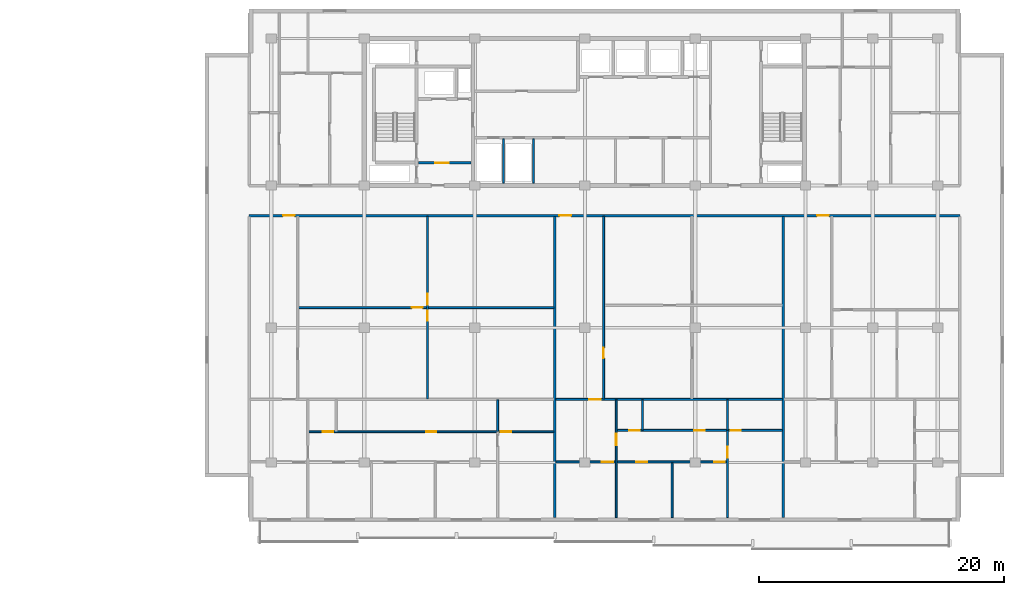
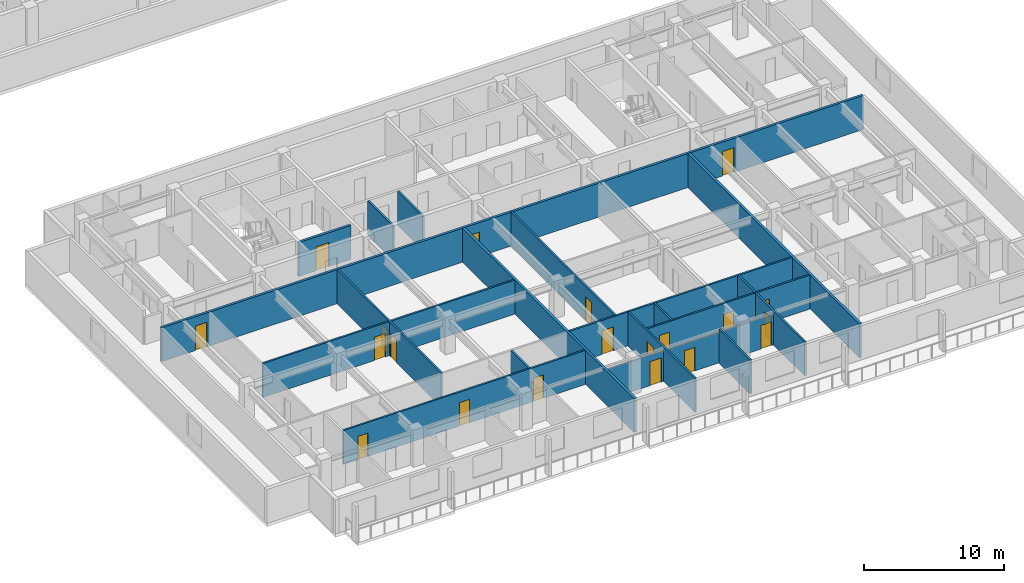
# One storey, part 5 of 22: 20 doors, 19 walls, 20 openings.
"""IFC4 building model written with IfcOpenShell, lengths in metres."""

import ifcopenshell
import ifcopenshell.guid

model = None  # the IFC model being written
_history = None  # IfcOwnerHistory: only IFC2X3 demands one
_inside = {}  # id of a spatial element -> (the spatial element, [elements in it])
_under = {}  # id of a project, library or spatial element -> (it, [spatial elements below it])
_declared = {}  # id of a project -> (the project, [libraries it declares])
_typed = {}  # id of a type object -> (the type object, [elements of that type])
_made_of = {}  # id of a material, layer set ... -> (it, [elements and type objects made of it])


def new_model(schema):
    """Start an empty IFC model of exactly this schema.

    Asked for "IFC4X3", IfcOpenShell would pick the latest addendum, in which some entities
    have other attributes; the version numbers below select the first issue.
    IFC2X3 requires an IfcOwnerHistory on every rooted entity: one is made here for all.
    """
    global model, _history
    if schema == "IFC4X3":
        model = ifcopenshell.file(schema_version=(4, 3, 0, 0))
    else:
        model = ifcopenshell.file(schema=schema)
    _inside.clear()
    _under.clear()
    _declared.clear()
    _typed.clear()
    _made_of.clear()
    _history = None
    if model.schema == "IFC2X3":
        org = make("IfcOrganization", Name="unknown")
        user = make(
            "IfcPersonAndOrganization",
            ThePerson=make("IfcPerson", FamilyName="unknown"),
            TheOrganization=org,
        )
        app = make(
            "IfcApplication",
            ApplicationDeveloper=org,
            Version="unknown",
            ApplicationFullName="unknown",
            ApplicationIdentifier="unknown",
        )
        _history = make(
            "IfcOwnerHistory",
            OwningUser=user,
            OwningApplication=app,
            ChangeAction="ADDED",
            CreationDate=0,
        )
    return model


def make(cls, **values):
    """One entity of the class cls with the attributes given. An attribute that is None is left unset."""
    return model.create_entity(
        cls, **{name: value for name, value in values.items() if value is not None}
    )


def rooted(cls, **values):
    """An entity with a GlobalId (a new one), such as an element, a storey or a relation."""
    return make(cls, GlobalId=ifcopenshell.guid.new(), OwnerHistory=_history, **values)


def si_unit(unit_type, name, prefix=None):
    """IfcSIUnit, for example si_unit("LENGTHUNIT", "METRE", prefix="MILLI")."""
    return make("IfcSIUnit", UnitType=unit_type, Prefix=prefix, Name=name)


def assignment(units):
    """IfcUnitAssignment: the units of a project."""
    return None if units is None else make("IfcUnitAssignment", Units=units)


def point(xyz):
    """IfcCartesianPoint."""
    return None if xyz is None else make("IfcCartesianPoint", Coordinates=xyz)


def direction(xyz):
    """IfcDirection."""
    return None if xyz is None else make("IfcDirection", DirectionRatios=xyz)


def frame(location, z_axis=None, x_axis=None):
    """IfcAxis2Placement3D, a coordinate frame: its origin and axes. An axis left out is left unset."""
    return make(
        "IfcAxis2Placement3D",
        Location=point(location),
        Axis=direction(z_axis),
        RefDirection=direction(x_axis),
    )


def frame_2d(location, x_axis=None):
    """IfcAxis2Placement2D, a coordinate frame in the plane: its origin and x axis."""
    return make(
        "IfcAxis2Placement2D", Location=point(location), RefDirection=direction(x_axis)
    )


def origin():
    """The frame at (0, 0, 0) with its axes left unset."""
    return frame((0.0, 0.0, 0.0))


def place(relative_to, where):
    """IfcLocalPlacement: puts the frame where relative to a parent placement (None: the world)."""
    return make(
        "IfcLocalPlacement", PlacementRelTo=relative_to, RelativePlacement=where
    )


def context(
    kind, dimensions, precision=None, world=None, true_north=None, identifier=None
):
    """IfcGeometricRepresentationContext, for example the 3D "Model" context."""
    return make(
        "IfcGeometricRepresentationContext",
        ContextIdentifier=identifier,
        ContextType=kind,
        CoordinateSpaceDimension=dimensions,
        Precision=precision,
        WorldCoordinateSystem=world,
        TrueNorth=true_north,
    )


def subcontext(parent, identifier, kind, view, scale=None):
    """IfcGeometricRepresentationSubContext, for example "Body" below "Model"."""
    return make(
        "IfcGeometricRepresentationSubContext",
        ContextIdentifier=identifier,
        ContextType=kind,
        ParentContext=parent,
        TargetScale=scale,
        TargetView=view,
    )


def project(units=None, contexts=None):
    """IfcProject with its units and contexts."""
    return rooted(
        "IfcProject",
        Name="project",
        RepresentationContexts=contexts,
        UnitsInContext=assignment(units),
    )


def spatial(cls, under=None, at=None, **own):
    """A site, building, storey or space (cls), placed at a placement, below another one or the project."""
    s = rooted(cls, ObjectPlacement=at, **own)
    if under is not None:
        _under.setdefault(under.id(), (under, []))[1].append(s)
    return s


def profile(cls, at=None, kind="AREA", **sizes):
    """A parametric profile (cls). Its sizes go by their IFC names, for example OverallWidth=200.0."""
    return make(cls, ProfileType=kind, Position=at, **sizes)


def rectangle(**sizes):
    """IfcRectangleProfileDef."""
    return profile("IfcRectangleProfileDef", **sizes)


def extrude(swept, where, along, depth):
    """IfcExtrudedAreaSolid: the profile swept, set in the frame where, extruded along a direction by depth."""
    return make(
        "IfcExtrudedAreaSolid",
        SweptArea=swept,
        Position=where,
        ExtrudedDirection=direction(along),
        Depth=depth,
    )


def shape(context_of_items, identifier, shape_type, items):
    """IfcShapeRepresentation: the items that make up one representation, for example the "Body"."""
    return make(
        "IfcShapeRepresentation",
        ContextOfItems=context_of_items,
        RepresentationIdentifier=identifier,
        RepresentationType=shape_type,
        Items=items,
    )


def material(Name=None, Category=None):
    """IfcMaterial."""
    return make("IfcMaterial", Name=Name, Category=Category)


def layer(
    of_material, thickness, ventilated=None, Name=None, Category=None, Priority=None
):
    """IfcMaterialLayer: one layer of a wall or slab, of a material (None: an air gap)."""
    return make(
        "IfcMaterialLayer",
        Material=of_material,
        LayerThickness=thickness,
        IsVentilated=ventilated,
        Name=Name,
        Category=Category,
        Priority=Priority,
    )


def layer_set(layers, Name=None):
    """IfcMaterialLayerSet."""
    return make("IfcMaterialLayerSet", MaterialLayers=layers, LayerSetName=Name)


def made_of(thing, what):
    """Note that an element or type object is made of a material, layer set ...; save() writes the relation."""
    if what is not None:
        _made_of.setdefault(what.id(), (what, []))[1].append(thing)
    return thing


def type_object(cls, material=None, **own):
    """A type object (cls), such as IfcWallType, which elements share."""
    return made_of(rooted(cls, **own), material)


def element(
    cls,
    number,
    at=None,
    inside=None,
    cuts=None,
    type_object=None,
    material=None,
    context=None,
    identifier="Body",
    shape_type=None,
    held_by="IfcProductDefinitionShape",
    body=None,
    shapes=None,
    **own,
):
    """One element of the class cls, such as IfcWall. Its Tag is "e" and its number.

    at: its placement. inside: the storey or other place that contains it. cuts: it is an
    opening in that element (IfcRelVoidsElement). A single representation is given by context,
    identifier, shape_type and body (its items); several are given by shapes. held_by: the class
    of the entity that holds the representations. save() writes the other relations.
    """
    e = rooted(cls, Tag="e%d" % number, ObjectPlacement=at, **own)
    if body is not None:
        shapes = [shape(context, identifier, shape_type, body)]
    if shapes is not None:
        e.Representation = make(held_by, Representations=shapes)
    if inside is not None:
        _inside.setdefault(inside.id(), (inside, []))[1].append(e)
    if cuts is not None:
        rooted(
            "IfcRelVoidsElement", RelatingBuildingElement=cuts, RelatedOpeningElement=e
        )
    if type_object is not None:
        _typed.setdefault(type_object.id(), (type_object, []))[1].append(e)
    return made_of(e, material)


def fill(opening, filler):
    """IfcRelFillsElement: the door or window that sits in an opening."""
    return rooted(
        "IfcRelFillsElement",
        RelatingOpeningElement=opening,
        RelatedBuildingElement=filler,
    )


def aggregate(whole, parts):
    """IfcRelAggregates: a whole, such as a stair, and the parts it consists of."""
    return rooted("IfcRelAggregates", RelatingObject=whole, RelatedObjects=parts)


def save(model, path):
    """Write the relations noted so far, then the file.

    IfcRelAggregates (storeys below a building ...), IfcRelContainedInSpatialStructure (elements
    in a storey), IfcRelDefinesByType, IfcRelAssociatesMaterial and IfcRelDeclares: one each for
    every whole, place, type object, material and project.
    """
    for whole, parts in _under.values():
        aggregate(whole, parts)
    for where, things in _inside.values():
        rooted(
            "IfcRelContainedInSpatialStructure",
            RelatedElements=things,
            RelatingStructure=where,
        )
    for kind, things in _typed.values():
        rooted("IfcRelDefinesByType", RelatedObjects=things, RelatingType=kind)
    for what, things in _made_of.values():
        rooted("IfcRelAssociatesMaterial", RelatedObjects=things, RelatingMaterial=what)
    for by, libraries in _declared.values():
        rooted("IfcRelDeclares", RelatingContext=by, RelatedDefinitions=libraries)
    model.write(path)


model = new_model("IFC4")

# Units and contexts
model_context = context("Model", 3, precision=1e-05, world=origin(), true_north=direction((0.0, 1.0)))
body_context = subcontext(model_context, "Body", "Model", "MODEL_VIEW")
ifc_project = project(units=[si_unit("LENGTHUNIT", "METRE"), si_unit("AREAUNIT", "SQUARE_METRE"), si_unit("VOLUMEUNIT", "CUBIC_METRE"), si_unit("PLANEANGLEUNIT", "RADIAN"), si_unit("MASSUNIT", "GRAM", prefix="KILO")], contexts=[model_context])

# Site, building, storey
site_placement = place(None, origin())
site = spatial("IfcSite", under=ifc_project, at=site_placement, CompositionType="ELEMENT")
building_placement = place(site_placement, origin())
building = spatial("IfcBuilding", under=site, at=building_placement, Name="Korimba Cascade Residences", CompositionType="ELEMENT")
storey_placement = place(building_placement, frame((0.0, 0.0, 132.800048828125)))
storey = spatial("IfcBuildingStorey", under=building, at=storey_placement, Name="L38", CompositionType="ELEMENT", Elevation=132.800048828125)

# Walls
ifc_material_1 = material(Name="Precast concrete C40/50", Category="concrete")
ifc_layer_1 = layer(ifc_material_1, 0.199951171875)
ifc_layer_set_1 = layer_set([ifc_layer_1], Name="Precast concrete C40/50")
wall_type_1 = type_object("IfcWallType", Name="WAL-IT-200", PredefinedType="PARTITIONING", material=ifc_layer_set_1)
for number, where, z_axis, x_axis, name in (
    (1, (97.654541015625, -8.699951171875, 0.0), (0.0, 0.0, 1.0), (0.0, 1.0, 0.0), "L38 Partition Wall WAL-L38-T2-DEM-1"),
    (2, (116.286376953125, -8.699951171875, 0.0), (0.0, 0.0, 1.0), (0.0, 1.0, 0.0), "L38 Partition Wall WAL-L38-T2-DEM-2"),
):
    element("IfcWall", number, at=place(storey_placement, frame(where, z_axis=z_axis, x_axis=x_axis)), inside=storey, type_object=wall_type_1, Name=name, PredefinedType="PARTITIONING", context=body_context, shape_type="SweptSolid", body=[
        extrude(rectangle(XDim=24.570068359375, YDim=0.199951171875, at=frame_2d((12.28515625, 0.0))), origin(), (0.0, 0.0, 1.0), 2.969970703125),
    ])

# Wall, openings, doors
wall_1_placement = place(storey_placement, frame((72.699951171875, 15.949951171875, 0.0), z_axis=(0.0, 0.0, 1.0), x_axis=(1.0, 0.0, 0.0)))
wall_1 = element("IfcWall", 3, at=wall_1_placement, inside=storey, type_object=wall_type_1, Name="L38 Partition Wall WAL-L38-T2-CORS", PredefinedType="PARTITIONING", context=body_context, shape_type="SweptSolid", body=[
    extrude(rectangle(XDim=58.0, YDim=0.199951171875, at=frame_2d((29.0, 0.0))), origin(), (0.0, 0.0, 1.0), 2.969970703125),
])
opening_1_placement = place(wall_1_placement, frame((2.77001953125, 0.0, 0.0)))
opening_1 = element("IfcOpeningElement", 4, at=opening_1_placement, cuts=wall_1, Name="Opening D-UN1", PredefinedType="OPENING", context=body_context, shape_type="SweptSolid", body=[
    extrude(rectangle(XDim=0.949951171875, YDim=2.14990234375, at=frame_2d((0.47509765625, 1.074951171875))), frame((0.0, 0.10986328125, 0.0), z_axis=(0.0, -1.0, 0.0), x_axis=(1.0, 0.0, 0.0)), (0.0, 0.0, 1.0), 0.219970703125),
])
opening_2_placement = place(wall_1_placement, frame((25.324462890625, 0.0, 0.0)))
opening_2 = element("IfcOpeningElement", 5, at=opening_2_placement, cuts=wall_1, Name="Opening D-UN1", PredefinedType="OPENING", context=body_context, shape_type="SweptSolid", body=[
    extrude(rectangle(XDim=0.949951171875, YDim=2.14990234375, at=frame_2d((0.47509765625, 1.074951171875))), frame((0.0, 0.10986328125, 0.0), z_axis=(0.0, -1.0, 0.0), x_axis=(1.0, 0.0, 0.0)), (0.0, 0.0, 1.0), 0.219970703125),
])
opening_3_placement = place(wall_1_placement, frame((46.356201171875, 0.0, 0.0)))
opening_3 = element("IfcOpeningElement", 6, at=opening_3_placement, cuts=wall_1, Name="Opening D-UN1", PredefinedType="OPENING", context=body_context, shape_type="SweptSolid", body=[
    extrude(rectangle(XDim=0.949951171875, YDim=2.14990234375, at=frame_2d((0.47509765625, 1.074951171875))), frame((0.0, 0.10986328125, 0.0), z_axis=(0.0, -1.0, 0.0), x_axis=(1.0, 0.0, 0.0)), (0.0, 0.0, 1.0), 0.219970703125),
])
ifc_material_2 = material(Name="Fire-Rated Hardwood Apartment Entrance Door", Category="wood")
door_type_1 = type_object("IfcDoorType", Name="DR-FD60-950", OperationType="NOTDEFINED", PredefinedType="DOOR", material=ifc_material_2)
door_1_placement = place(opening_1_placement, origin())
door_1 = element("IfcDoor", 7, at=door_1_placement, inside=storey, type_object=door_type_1, Name="Unit L38-T2-U01 Entrance Door", OperationType="SINGLE_SWING_RIGHT", OverallHeight=2.14990234375, OverallWidth=0.949951171875, PredefinedType="DOOR", context=body_context, shape_type="SweptSolid", body=[
    extrude(rectangle(XDim=0.949951171875, YDim=2.14990234375, at=frame_2d((0.47509765625, 1.074951171875))), frame((0.0, 0.02490234375, 0.0), z_axis=(0.0, -1.0, 0.0), x_axis=(1.0, 0.0, 0.0)), (0.0, 0.0, 1.0), 0.050048828125),
])
fill(opening_1, door_1)
door_2_placement = place(opening_2_placement, origin())
door_2 = element("IfcDoor", 8, at=door_2_placement, inside=storey, type_object=door_type_1, Name="Unit L38-T2-U02 Entrance Door", OperationType="SINGLE_SWING_LEFT", OverallHeight=2.14990234375, OverallWidth=0.949951171875, PredefinedType="DOOR", context=body_context, shape_type="SweptSolid", body=[
    extrude(rectangle(XDim=0.949951171875, YDim=2.14990234375, at=frame_2d((0.47509765625, 1.074951171875))), frame((0.0, 0.02490234375, 0.0), z_axis=(0.0, -1.0, 0.0), x_axis=(1.0, 0.0, 0.0)), (0.0, 0.0, 1.0), 0.050048828125),
])
fill(opening_2, door_2)
door_3_placement = place(opening_3_placement, origin())
door_3 = element("IfcDoor", 9, at=door_3_placement, inside=storey, type_object=door_type_1, Name="Unit L38-T2-U03 Entrance Door", OperationType="SINGLE_SWING_RIGHT", OverallHeight=2.14990234375, OverallWidth=0.949951171875, PredefinedType="DOOR", context=body_context, shape_type="SweptSolid", body=[
    extrude(rectangle(XDim=0.949951171875, YDim=2.14990234375, at=frame_2d((0.47509765625, 1.074951171875))), frame((0.0, 0.02490234375, 0.0), z_axis=(0.0, -1.0, 0.0), x_axis=(1.0, 0.0, 0.0)), (0.0, 0.0, 1.0), 0.050048828125),
])
fill(opening_3, door_3)

# Walls
ifc_material_3 = material(Name="Insulated Acoustic Stud Partition", Category="gypsum")
ifc_layer_2 = layer(ifc_material_3, 0.14990234375)
ifc_layer_set_2 = layer_set([ifc_layer_2], Name="Insulated Acoustic Stud Partition")
wall_type_2 = type_object("IfcWallType", Name="WAL-PART-150", PredefinedType="PARTITIONING", material=ifc_layer_set_2)
for number, where, z_axis, x_axis, name in (
    (10, (93.449951171875, 18.60009765625, 0.0), (0.0, 0.0, 1.0), (0.0, 1.0, 0.0), "L38 Partition Wall CW-L38-T2-ERDIV"),
    (11, (95.89990234375, 18.60009765625, 0.0), (0.0, 0.0, 1.0), (0.0, 1.0, 0.0), "L38 Partition Wall CW-L38-T2-PRDIV"),
):
    element("IfcWall", number, at=place(storey_placement, frame(where, z_axis=z_axis, x_axis=x_axis)), inside=storey, type_object=wall_type_2, Name=name, PredefinedType="PARTITIONING", context=body_context, shape_type="SweptSolid", body=[
        extrude(rectangle(XDim=3.599853515625, YDim=0.14990234375, at=frame_2d((1.7998046875, 0.0))), origin(), (0.0, 0.0, 1.0), 2.969970703125),
    ])

# Wall, openings, doors
wall_2_placement = place(storey_placement, frame((87.252197265625, 0.989990234375, 0.0), z_axis=(0.0, 0.0, 1.0), x_axis=(0.0, 1.0, 0.0)))
wall_2 = element("IfcWall", 12, at=wall_2_placement, inside=storey, type_object=wall_type_2, Name="L38 Partition Wall WAL-L38-T2-U01-FMV", PredefinedType="PARTITIONING", context=body_context, shape_type="SweptSolid", body=[
    extrude(rectangle(XDim=14.89990234375, YDim=0.14990234375, at=frame_2d((7.449951171875, 0.0))), origin(), (0.0, 0.0, 1.0), 2.969970703125),
])
opening_4_placement = place(wall_2_placement, frame((6.360107421875, 0.0, 0.0)))
opening_4 = element("IfcOpeningElement", 13, at=opening_4_placement, cuts=wall_2, Name="Opening D-BT1", PredefinedType="OPENING", context=body_context, shape_type="SweptSolid", body=[
    extrude(rectangle(XDim=0.840087890625, YDim=2.0400390625, at=frame_2d((0.419921875, 1.02001953125))), frame((0.0, 0.0849609375, 0.0), z_axis=(0.0, -1.0, 0.0), x_axis=(1.0, 0.0, 0.0)), (0.0, 0.0, 1.0), 0.169921875),
])
opening_5_placement = place(wall_2_placement, frame((7.699951171875, 0.0, 0.0)))
opening_5 = element("IfcOpeningElement", 14, at=opening_5_placement, cuts=wall_2, Name="Opening D-IN2", PredefinedType="OPENING", context=body_context, shape_type="SweptSolid", body=[
    extrude(rectangle(XDim=0.8798828125, YDim=2.06005859375, at=frame_2d((0.43994140625, 1.030029296875))), frame((0.0, 0.0849609375, 0.0), z_axis=(0.0, -1.0, 0.0), x_axis=(1.0, 0.0, 0.0)), (0.0, 0.0, 1.0), 0.169921875),
])
ifc_material_4 = material(Name="Moisture-Resistant Bathroom Timber Door", Category="wood")
door_type_2 = type_object("IfcDoorType", Name="DR-INT-850", OperationType="NOTDEFINED", PredefinedType="DOOR", material=ifc_material_4)
door_4_placement = place(opening_4_placement, origin())
door_4 = element("IfcDoor", 15, at=door_4_placement, inside=storey, type_object=door_type_2, Name="L38-T2-U01 Wardrobe Door", OperationType="SINGLE_SWING_RIGHT", OverallHeight=2.0400390625, OverallWidth=0.840087890625, PredefinedType="DOOR", context=body_context, shape_type="SweptSolid", body=[
    extrude(rectangle(XDim=0.840087890625, YDim=2.0400390625, at=frame_2d((0.419921875, 1.02001953125))), frame((0.0, 0.02490234375, 0.0), z_axis=(0.0, -1.0, 0.0), x_axis=(1.0, 0.0, 0.0)), (0.0, 0.0, 1.0), 0.050048828125),
])
fill(opening_4, door_4)
ifc_material_5 = material(Name="Acoustic Timber Bedroom Door", Category="wood")
door_type_3 = type_object("IfcDoorType", Name="DR-INT-880", OperationType="NOTDEFINED", PredefinedType="DOOR", material=ifc_material_5)
door_5_placement = place(opening_5_placement, origin())
door_5 = element("IfcDoor", 16, at=door_5_placement, inside=storey, type_object=door_type_3, Name="L38-T2-U01 Music Lounge Door", OperationType="SINGLE_SWING_LEFT", OverallHeight=2.06005859375, OverallWidth=0.8798828125, PredefinedType="DOOR", context=body_context, shape_type="SweptSolid", body=[
    extrude(rectangle(XDim=0.8798828125, YDim=2.06005859375, at=frame_2d((0.43994140625, 1.030029296875))), frame((0.0, 0.02490234375, 0.0), z_axis=(0.0, -1.0, 0.0), x_axis=(1.0, 0.0, 0.0)), (0.0, 0.0, 1.0), 0.050048828125),
])
fill(opening_5, door_5)

# Wall, opening, door
wall_3_placement = place(storey_placement, frame((76.72998046875, 8.43994140625, 0.0), z_axis=(0.0, 0.0, 1.0), x_axis=(1.0, 0.0, 0.0)))
wall_3 = element("IfcWall", 17, at=wall_3_placement, inside=storey, type_object=wall_type_2, Name="L38 Partition Wall WAL-L38-T2-U01-FMH", PredefinedType="PARTITIONING", context=body_context, shape_type="SweptSolid", body=[
    extrude(rectangle(XDim=20.844482421875, YDim=0.14990234375, at=frame_2d((10.42236328125, 0.0))), origin(), (0.0, 0.0, 1.0), 2.969970703125),
])
opening_6_placement = place(wall_3_placement, frame((9.24072265625, 0.0, 0.0)))
opening_6 = element("IfcOpeningElement", 18, at=opening_6_placement, cuts=wall_3, Name="Opening D-IN2", PredefinedType="OPENING", context=body_context, shape_type="SweptSolid", body=[
    extrude(rectangle(XDim=0.8798828125, YDim=2.06005859375, at=frame_2d((0.43994140625, 1.030029296875))), frame((0.0, 0.0849609375, 0.0), z_axis=(0.0, -1.0, 0.0), x_axis=(1.0, 0.0, 0.0)), (0.0, 0.0, 1.0), 0.169921875),
])
door_6_placement = place(opening_6_placement, origin())
door_6 = element("IfcDoor", 19, at=door_6_placement, inside=storey, type_object=door_type_3, Name="L38-T2-U01 Library Salon Door", OperationType="SINGLE_SWING_RIGHT", OverallHeight=2.06005859375, OverallWidth=0.8798828125, PredefinedType="DOOR", context=body_context, shape_type="SweptSolid", body=[
    extrude(rectangle(XDim=0.8798828125, YDim=2.06005859375, at=frame_2d((0.43994140625, 1.030029296875))), frame((0.0, 0.02490234375, 0.0), z_axis=(0.0, -1.0, 0.0), x_axis=(1.0, 0.0, 0.0)), (0.0, 0.0, 1.0), 0.050048828125),
])
fill(opening_6, door_6)

# Wall
wall_4_placement = place(storey_placement, frame((92.97998046875, -1.669921875, 0.0), z_axis=(0.0, 0.0, 1.0), x_axis=(0.0, 1.0, 0.0)))
element("IfcWall", 20, at=wall_4_placement, inside=storey, type_object=wall_type_2, Name="L38 Partition Wall WAL-L38-T2-U01-VBATH", PredefinedType="PARTITIONING", context=body_context, shape_type="SweptSolid", body=[
    extrude(rectangle(XDim=2.579833984375, YDim=0.14990234375, at=frame_2d((1.2900390625, 0.0))), origin(), (0.0, 0.0, 1.0), 2.969970703125),
])

# Wall, openings, doors
wall_5_placement = place(storey_placement, frame((77.530029296875, -1.68994140625, 0.0), z_axis=(0.0, 0.0, 1.0), x_axis=(1.0, 0.0, 0.0)))
wall_5 = element("IfcWall", 21, at=wall_5_placement, inside=storey, type_object=wall_type_2, Name="L38 Partition Wall WAL-L38-T2-U01-HWALL", PredefinedType="PARTITIONING", context=body_context, shape_type="SweptSolid", body=[
    extrude(rectangle(XDim=20.04443359375, YDim=0.14990234375, at=frame_2d((10.022216796875, 0.0))), origin(), (0.0, 0.0, 1.0), 2.969970703125),
])
opening_7_placement = place(wall_5_placement, frame((1.19091796875, 0.0, 0.0)))
opening_7 = element("IfcOpeningElement", 22, at=opening_7_placement, cuts=wall_5, Name="Opening D-BT1", PredefinedType="OPENING", context=body_context, shape_type="SweptSolid", body=[
    extrude(rectangle(XDim=0.840087890625, YDim=2.0400390625, at=frame_2d((0.419921875, 1.02001953125))), frame((0.0, 0.0849609375, 0.0), z_axis=(0.0, -1.0, 0.0), x_axis=(1.0, 0.0, 0.0)), (0.0, 0.0, 1.0), 0.169921875),
])
opening_8_placement = place(wall_5_placement, frame((9.602294921875, 0.0, 0.0)))
opening_8 = element("IfcOpeningElement", 23, at=opening_8_placement, cuts=wall_5, Name="Opening D-BT1", PredefinedType="OPENING", context=body_context, shape_type="SweptSolid", body=[
    extrude(rectangle(XDim=0.840087890625, YDim=2.0400390625, at=frame_2d((0.419921875, 1.02001953125))), frame((0.0, 0.0849609375, 0.0), z_axis=(0.0, -1.0, 0.0), x_axis=(1.0, 0.0, 0.0)), (0.0, 0.0, 1.0), 0.169921875),
])
opening_9_placement = place(wall_5_placement, frame((15.699951171875, 0.0, 0.0)))
opening_9 = element("IfcOpeningElement", 24, at=opening_9_placement, cuts=wall_5, Name="Opening D-BT1", PredefinedType="OPENING", context=body_context, shape_type="SweptSolid", body=[
    extrude(rectangle(XDim=0.840087890625, YDim=2.0400390625, at=frame_2d((0.419921875, 1.02001953125))), frame((0.0, 0.0849609375, 0.0), z_axis=(0.0, -1.0, 0.0), x_axis=(1.0, 0.0, 0.0)), (0.0, 0.0, 1.0), 0.169921875),
])
door_7_placement = place(opening_7_placement, origin())
door_7 = element("IfcDoor", 25, at=door_7_placement, inside=storey, type_object=door_type_2, Name="L38-T2-U01 Family Bathroom Door", OperationType="SINGLE_SWING_RIGHT", OverallHeight=2.0400390625, OverallWidth=0.840087890625, PredefinedType="DOOR", context=body_context, shape_type="SweptSolid", body=[
    extrude(rectangle(XDim=0.840087890625, YDim=2.0400390625, at=frame_2d((0.419921875, 1.02001953125))), frame((0.0, 0.02490234375, 0.0), z_axis=(0.0, -1.0, 0.0), x_axis=(1.0, 0.0, 0.0)), (0.0, 0.0, 1.0), 0.050048828125),
])
fill(opening_7, door_7)
door_8_placement = place(opening_8_placement, origin())
door_8 = element("IfcDoor", 26, at=door_8_placement, inside=storey, type_object=door_type_2, Name="L38-T2-U01 Dressing Room Door", OperationType="SINGLE_SWING_LEFT", OverallHeight=2.0400390625, OverallWidth=0.840087890625, PredefinedType="DOOR", context=body_context, shape_type="SweptSolid", body=[
    extrude(rectangle(XDim=0.840087890625, YDim=2.0400390625, at=frame_2d((0.419921875, 1.02001953125))), frame((0.0, 0.02490234375, 0.0), z_axis=(0.0, -1.0, 0.0), x_axis=(1.0, 0.0, 0.0)), (0.0, 0.0, 1.0), 0.050048828125),
])
fill(opening_8, door_8)
door_9_placement = place(opening_9_placement, origin())
door_9 = element("IfcDoor", 27, at=door_9_placement, inside=storey, type_object=door_type_2, Name="L38-T2-U01 En-Suite Door", OperationType="SINGLE_SWING_RIGHT", OverallHeight=2.0400390625, OverallWidth=0.840087890625, PredefinedType="DOOR", context=body_context, shape_type="SweptSolid", body=[
    extrude(rectangle(XDim=0.840087890625, YDim=2.0400390625, at=frame_2d((0.419921875, 1.02001953125))), frame((0.0, 0.02490234375, 0.0), z_axis=(0.0, -1.0, 0.0), x_axis=(1.0, 0.0, 0.0)), (0.0, 0.0, 1.0), 0.050048828125),
])
fill(opening_9, door_9)

# Wall, opening, door
wall_6_placement = place(storey_placement, frame((101.62451171875, 0.989990234375, 0.0), z_axis=(0.0, 0.0, 1.0), x_axis=(0.0, 1.0, 0.0)))
wall_6 = element("IfcWall", 28, at=wall_6_placement, inside=storey, type_object=wall_type_2, Name="L38 Partition Wall WAL-L38-T2-U02-FV", PredefinedType="PARTITIONING", context=body_context, shape_type="SweptSolid", body=[
    extrude(rectangle(XDim=14.89990234375, YDim=0.14990234375, at=frame_2d((7.449951171875, 0.0))), origin(), (0.0, 0.0, 1.0), 2.969970703125),
])
opening_10_placement = place(wall_6_placement, frame((3.302001953125, 0.0, 0.0)))
opening_10 = element("IfcOpeningElement", 29, at=opening_10_placement, cuts=wall_6, Name="Opening D-IN2", PredefinedType="OPENING", context=body_context, shape_type="SweptSolid", body=[
    extrude(rectangle(XDim=0.8798828125, YDim=2.06005859375, at=frame_2d((0.43994140625, 1.030029296875))), frame((0.0, 0.0849609375, 0.0), z_axis=(0.0, -1.0, 0.0), x_axis=(1.0, 0.0, 0.0)), (0.0, 0.0, 1.0), 0.169921875),
])
door_10_placement = place(opening_10_placement, origin())
door_10 = element("IfcDoor", 30, at=door_10_placement, inside=storey, type_object=door_type_3, Name="L38-T2-U02 Media Lounge Door", OperationType="SINGLE_SWING_LEFT", OverallHeight=2.06005859375, OverallWidth=0.8798828125, PredefinedType="DOOR", context=body_context, shape_type="SweptSolid", body=[
    extrude(rectangle(XDim=0.8798828125, YDim=2.06005859375, at=frame_2d((0.43994140625, 1.030029296875))), frame((0.0, 0.02490234375, 0.0), z_axis=(0.0, -1.0, 0.0), x_axis=(1.0, 0.0, 0.0)), (0.0, 0.0, 1.0), 0.050048828125),
])
fill(opening_10, door_10)

# Walls
wall_7_placement = place(storey_placement, frame((104.804443359375, -1.56005859375, 0.0), z_axis=(0.0, 0.0, 1.0), x_axis=(0.0, 1.0, 0.0)))
element("IfcWall", 31, at=wall_7_placement, inside=storey, type_object=wall_type_2, Name="L38 Partition Wall WAL-L38-T2-U02-VDRS", PredefinedType="PARTITIONING", context=body_context, shape_type="SweptSolid", body=[
    extrude(rectangle(XDim=2.469970703125, YDim=0.14990234375, at=frame_2d((1.23486328125, 0.0))), origin(), (0.0, 0.0, 1.0), 2.969970703125),
])
wall_8_placement = place(storey_placement, frame((107.219970703125, -8.699951171875, 0.0), z_axis=(0.0, 0.0, 1.0), x_axis=(0.0, 1.0, 0.0)))
element("IfcWall", 32, at=wall_8_placement, inside=storey, type_object=wall_type_2, Name="L38 Partition Wall WAL-L38-T2-U02-VSTD", PredefinedType="PARTITIONING", context=body_context, shape_type="SweptSolid", body=[
    extrude(rectangle(XDim=4.469970703125, YDim=0.14990234375, at=frame_2d((2.23486328125, 0.0))), origin(), (0.0, 0.0, 1.0), 2.969970703125),
])

# Wall, opening, door
wall_9_placement = place(storey_placement, frame((102.654541015625, -8.699951171875, 0.0), z_axis=(0.0, 0.0, 1.0), x_axis=(0.0, 1.0, 0.0)))
wall_9 = element("IfcWall", 33, at=wall_9_placement, inside=storey, type_object=wall_type_2, Name="L38 Partition Wall WAL-L38-T2-U02-V1", PredefinedType="PARTITIONING", context=body_context, shape_type="SweptSolid", body=[
    extrude(rectangle(XDim=9.60986328125, YDim=0.14990234375, at=frame_2d((4.804931640625, 0.0))), origin(), (0.0, 0.0, 1.0), 2.969970703125),
])
opening_11_placement = place(wall_9_placement, frame((5.919921875, 0.0, 0.0)))
opening_11 = element("IfcOpeningElement", 34, at=opening_11_placement, cuts=wall_9, Name="Opening D-IN1", PredefinedType="OPENING", context=body_context, shape_type="SweptSolid", body=[
    extrude(rectangle(XDim=0.919921875, YDim=2.080078125, at=frame_2d((0.4599609375, 1.0400390625))), frame((0.0, 0.0849609375, 0.0), z_axis=(0.0, -1.0, 0.0), x_axis=(1.0, 0.0, 0.0)), (0.0, 0.0, 1.0), 0.169921875),
])
ifc_material_6 = material(Name="Acoustic Timber Living Door", Category="wood")
door_type_4 = type_object("IfcDoorType", Name="DR-INT-920", OperationType="NOTDEFINED", PredefinedType="DOOR", material=ifc_material_6)
door_11_placement = place(opening_11_placement, origin())
door_11 = element("IfcDoor", 35, at=door_11_placement, inside=storey, type_object=door_type_4, Name="L38-T2-U02 Hallway Door", OperationType="SINGLE_SWING_RIGHT", OverallHeight=2.080078125, OverallWidth=0.919921875, PredefinedType="DOOR", context=body_context, shape_type="SweptSolid", body=[
    extrude(rectangle(XDim=0.919921875, YDim=2.080078125, at=frame_2d((0.4599609375, 1.0400390625))), frame((0.0, 0.02490234375, 0.0), z_axis=(0.0, -1.0, 0.0), x_axis=(1.0, 0.0, 0.0)), (0.0, 0.0, 1.0), 0.050048828125),
])
fill(opening_11, door_11)

# Wall
wall_10_placement = place(storey_placement, frame((111.736328125, -1.56005859375, 0.0), z_axis=(0.0, 0.0, 1.0), x_axis=(0.0, 1.0, 0.0)))
element("IfcWall", 36, at=wall_10_placement, inside=storey, type_object=wall_type_2, Name="L38 Partition Wall WAL-L38-T2-U02-VBATH", PredefinedType="PARTITIONING", context=body_context, shape_type="SweptSolid", body=[
    extrude(rectangle(XDim=2.469970703125, YDim=0.14990234375, at=frame_2d((1.23486328125, 0.0))), origin(), (0.0, 0.0, 1.0), 2.969970703125),
])

# Wall, opening, door
wall_11_placement = place(storey_placement, frame((111.736328125, -8.699951171875, 0.0), z_axis=(0.0, 0.0, 1.0), x_axis=(0.0, 1.0, 0.0)))
wall_11 = element("IfcWall", 37, at=wall_11_placement, inside=storey, type_object=wall_type_2, Name="L38 Partition Wall WAL-L38-T2-U02-V2FULL", PredefinedType="PARTITIONING", context=body_context, shape_type="SweptSolid", body=[
    extrude(rectangle(XDim=7.099853515625, YDim=0.14990234375, at=frame_2d((3.5498046875, 0.0))), origin(), (0.0, 0.0, 1.0), 2.969970703125),
])
opening_12_placement = place(wall_11_placement, frame((4.8701171875, 0.0, 0.0)))
opening_12 = element("IfcOpeningElement", 38, at=opening_12_placement, cuts=wall_11, Name="Opening D-IN1", PredefinedType="OPENING", context=body_context, shape_type="SweptSolid", body=[
    extrude(rectangle(XDim=0.919921875, YDim=2.080078125, at=frame_2d((0.4599609375, 1.0400390625))), frame((0.0, 0.0849609375, 0.0), z_axis=(0.0, -1.0, 0.0), x_axis=(1.0, 0.0, 0.0)), (0.0, 0.0, 1.0), 0.169921875),
])
door_12_placement = place(opening_12_placement, origin())
door_12 = element("IfcDoor", 39, at=door_12_placement, inside=storey, type_object=door_type_4, Name="L38-T2-U02 Master Bedroom Door", OperationType="SINGLE_SWING_LEFT", OverallHeight=2.080078125, OverallWidth=0.919921875, PredefinedType="DOOR", context=body_context, shape_type="SweptSolid", body=[
    extrude(rectangle(XDim=0.919921875, YDim=2.080078125, at=frame_2d((0.4599609375, 1.0400390625))), frame((0.0, 0.02490234375, 0.0), z_axis=(0.0, -1.0, 0.0), x_axis=(1.0, 0.0, 0.0)), (0.0, 0.0, 1.0), 0.050048828125),
])
fill(opening_12, door_12)

# Wall, openings, doors
wall_12_placement = place(storey_placement, frame((102.694580078125, -1.580078125, 0.0), z_axis=(0.0, 0.0, 1.0), x_axis=(1.0, 0.0, 0.0)))
wall_12 = element("IfcWall", 40, at=wall_12_placement, inside=storey, type_object=wall_type_2, Name="L38 Partition Wall WAL-L38-T2-U02-HWALL", PredefinedType="PARTITIONING", context=body_context, shape_type="SweptSolid", body=[
    extrude(rectangle(XDim=13.51171875, YDim=0.14990234375, at=frame_2d((6.755859375, 0.0))), origin(), (0.0, 0.0, 1.0), 2.969970703125),
])
opening_13_placement = place(wall_12_placement, frame((1.033935546875, 0.0, 0.0)))
opening_13 = element("IfcOpeningElement", 41, at=opening_13_placement, cuts=wall_12, Name="Opening D-BT1", PredefinedType="OPENING", context=body_context, shape_type="SweptSolid", body=[
    extrude(rectangle(XDim=0.840087890625, YDim=2.0400390625, at=frame_2d((0.419921875, 1.02001953125))), frame((0.0, 0.0849609375, 0.0), z_axis=(0.0, -1.0, 0.0), x_axis=(1.0, 0.0, 0.0)), (0.0, 0.0, 1.0), 0.169921875),
])
opening_14_placement = place(wall_12_placement, frame((6.3359375, 0.0, 0.0)))
opening_14 = element("IfcOpeningElement", 42, at=opening_14_placement, cuts=wall_12, Name="Opening D-BT1", PredefinedType="OPENING", context=body_context, shape_type="SweptSolid", body=[
    extrude(rectangle(XDim=0.840087890625, YDim=2.0400390625, at=frame_2d((0.419921875, 1.02001953125))), frame((0.0, 0.0849609375, 0.0), z_axis=(0.0, -1.0, 0.0), x_axis=(1.0, 0.0, 0.0)), (0.0, 0.0, 1.0), 0.169921875),
])
opening_15_placement = place(wall_12_placement, frame((9.291748046875, 0.0, 0.0)))
opening_15 = element("IfcOpeningElement", 43, at=opening_15_placement, cuts=wall_12, Name="Opening D-BT1", PredefinedType="OPENING", context=body_context, shape_type="SweptSolid", body=[
    extrude(rectangle(XDim=0.840087890625, YDim=2.0400390625, at=frame_2d((0.419921875, 1.02001953125))), frame((0.0, 0.0849609375, 0.0), z_axis=(0.0, -1.0, 0.0), x_axis=(1.0, 0.0, 0.0)), (0.0, 0.0, 1.0), 0.169921875),
])
door_13_placement = place(opening_13_placement, origin())
door_13 = element("IfcDoor", 44, at=door_13_placement, inside=storey, type_object=door_type_2, Name="L38-T2-U02 Family Bathroom Door", OperationType="SINGLE_SWING_RIGHT", OverallHeight=2.0400390625, OverallWidth=0.840087890625, PredefinedType="DOOR", context=body_context, shape_type="SweptSolid", body=[
    extrude(rectangle(XDim=0.840087890625, YDim=2.0400390625, at=frame_2d((0.419921875, 1.02001953125))), frame((0.0, 0.02490234375, 0.0), z_axis=(0.0, -1.0, 0.0), x_axis=(1.0, 0.0, 0.0)), (0.0, 0.0, 1.0), 0.050048828125),
])
fill(opening_13, door_13)
door_14_placement = place(opening_14_placement, origin())
door_14 = element("IfcDoor", 45, at=door_14_placement, inside=storey, type_object=door_type_2, Name="L38-T2-U02 Dressing Room Door", OperationType="SINGLE_SWING_LEFT", OverallHeight=2.0400390625, OverallWidth=0.840087890625, PredefinedType="DOOR", context=body_context, shape_type="SweptSolid", body=[
    extrude(rectangle(XDim=0.840087890625, YDim=2.0400390625, at=frame_2d((0.419921875, 1.02001953125))), frame((0.0, 0.02490234375, 0.0), z_axis=(0.0, -1.0, 0.0), x_axis=(1.0, 0.0, 0.0)), (0.0, 0.0, 1.0), 0.050048828125),
])
fill(opening_14, door_14)
door_15_placement = place(opening_15_placement, origin())
door_15 = element("IfcDoor", 46, at=door_15_placement, inside=storey, type_object=door_type_2, Name="L38-T2-U02 En-Suite Door", OperationType="SINGLE_SWING_RIGHT", OverallHeight=2.0400390625, OverallWidth=0.840087890625, PredefinedType="DOOR", context=body_context, shape_type="SweptSolid", body=[
    extrude(rectangle(XDim=0.840087890625, YDim=2.0400390625, at=frame_2d((0.419921875, 1.02001953125))), frame((0.0, 0.02490234375, 0.0), z_axis=(0.0, -1.0, 0.0), x_axis=(1.0, 0.0, 0.0)), (0.0, 0.0, 1.0), 0.050048828125),
])
fill(opening_15, door_15)

# Wall, opening, door
wall_13_placement = place(storey_placement, frame((97.734619140625, 0.949951171875, 0.0), z_axis=(0.0, 0.0, 1.0), x_axis=(1.0, 0.0, 0.0)))
wall_13 = element("IfcWall", 47, at=wall_13_placement, inside=storey, type_object=wall_type_2, Name="L38 Partition Wall WAL-L38-T2-U02-MW", PredefinedType="PARTITIONING", context=body_context, shape_type="SweptSolid", body=[
    extrude(rectangle(XDim=18.4716796875, YDim=0.14990234375, at=frame_2d((9.23583984375, 0.0))), origin(), (0.0, 0.0, 1.0), 2.969970703125),
])
opening_16_placement = place(wall_13_placement, frame((2.719970703125, 0.0, 0.0)))
opening_16 = element("IfcOpeningElement", 48, at=opening_16_placement, cuts=wall_13, Name="Opening D-IN1", PredefinedType="OPENING", context=body_context, shape_type="SweptSolid", body=[
    extrude(rectangle(XDim=0.919921875, YDim=2.080078125, at=frame_2d((0.4599609375, 1.0400390625))), frame((0.0, 0.0849609375, 0.0), z_axis=(0.0, -1.0, 0.0), x_axis=(1.0, 0.0, 0.0)), (0.0, 0.0, 1.0), 0.169921875),
])
door_16_placement = place(opening_16_placement, origin())
door_16 = element("IfcDoor", 49, at=door_16_placement, inside=storey, type_object=door_type_4, Name="L38-T2-U02 Kitchen Door", OperationType="SINGLE_SWING_LEFT", OverallHeight=2.080078125, OverallWidth=0.919921875, PredefinedType="DOOR", context=body_context, shape_type="SweptSolid", body=[
    extrude(rectangle(XDim=0.919921875, YDim=2.080078125, at=frame_2d((0.4599609375, 1.0400390625))), frame((0.0, 0.02490234375, 0.0), z_axis=(0.0, -1.0, 0.0), x_axis=(1.0, 0.0, 0.0)), (0.0, 0.0, 1.0), 0.050048828125),
])
fill(opening_16, door_16)

# Wall, openings, doors
wall_14_placement = place(storey_placement, frame((97.734619140625, -4.14990234375, 0.0), z_axis=(0.0, 0.0, 1.0), x_axis=(1.0, 0.0, 0.0)))
wall_14 = element("IfcWall", 50, at=wall_14_placement, inside=storey, type_object=wall_type_2, Name="L38 Partition Wall WAL-L38-T2-U02-HZ", PredefinedType="PARTITIONING", context=body_context, shape_type="SweptSolid", body=[
    extrude(rectangle(XDim=14.001708984375, YDim=0.14990234375, at=frame_2d((7.0009765625, 0.0))), origin(), (0.0, 0.0, 1.0), 2.663330078125),
])
opening_17_placement = place(wall_14_placement, frame((3.72998046875, 0.0, 0.0)))
opening_17 = element("IfcOpeningElement", 51, at=opening_17_placement, cuts=wall_14, Name="Opening D-IN0", PredefinedType="OPENING", context=body_context, shape_type="SweptSolid", body=[
    extrude(rectangle(XDim=0.93994140625, YDim=2.10009765625, at=frame_2d((0.469970703125, 1.050048828125))), frame((0.0, 0.0849609375, 0.0), z_axis=(0.0, -1.0, 0.0), x_axis=(1.0, 0.0, 0.0)), (0.0, 0.0, 1.0), 0.169921875),
])
opening_18_placement = place(wall_14_placement, frame((6.560791015625, 0.0, 0.0)))
opening_18 = element("IfcOpeningElement", 52, at=opening_18_placement, cuts=wall_14, Name="Opening D-IN2", PredefinedType="OPENING", context=body_context, shape_type="SweptSolid", body=[
    extrude(rectangle(XDim=0.8798828125, YDim=2.06005859375, at=frame_2d((0.43994140625, 1.030029296875))), frame((0.0, 0.0849609375, 0.0), z_axis=(0.0, -1.0, 0.0), x_axis=(1.0, 0.0, 0.0)), (0.0, 0.0, 1.0), 0.169921875),
])
opening_19_placement = place(wall_14_placement, frame((12.90185546875, 0.0, 0.0)))
opening_19 = element("IfcOpeningElement", 53, at=opening_19_placement, cuts=wall_14, Name="Opening D-IN2", PredefinedType="OPENING", context=body_context, shape_type="SweptSolid", body=[
    extrude(rectangle(XDim=0.8798828125, YDim=2.06005859375, at=frame_2d((0.43994140625, 1.030029296875))), frame((0.0, 0.0849609375, 0.0), z_axis=(0.0, -1.0, 0.0), x_axis=(1.0, 0.0, 0.0)), (0.0, 0.0, 1.0), 0.169921875),
])
door_17_placement = place(opening_18_placement, origin())
door_17 = element("IfcDoor", 54, at=door_17_placement, inside=storey, type_object=door_type_3, Name="L38-T2-U02 Bedroom 2 Door", OperationType="SINGLE_SWING_LEFT", OverallHeight=2.06005859375, OverallWidth=0.8798828125, PredefinedType="DOOR", context=body_context, shape_type="SweptSolid", body=[
    extrude(rectangle(XDim=0.8798828125, YDim=2.06005859375, at=frame_2d((0.43994140625, 1.030029296875))), frame((0.0, 0.02490234375, 0.0), z_axis=(0.0, -1.0, 0.0), x_axis=(1.0, 0.0, 0.0)), (0.0, 0.0, 1.0), 0.050048828125),
])
fill(opening_18, door_17)
door_18_placement = place(opening_19_placement, origin())
door_18 = element("IfcDoor", 55, at=door_18_placement, inside=storey, type_object=door_type_3, Name="L38-T2-U02 Study Door", OperationType="SINGLE_SWING_RIGHT", OverallHeight=2.06005859375, OverallWidth=0.8798828125, PredefinedType="DOOR", context=body_context, shape_type="SweptSolid", body=[
    extrude(rectangle(XDim=0.8798828125, YDim=2.06005859375, at=frame_2d((0.43994140625, 1.030029296875))), frame((0.0, 0.02490234375, 0.0), z_axis=(0.0, -1.0, 0.0), x_axis=(1.0, 0.0, 0.0)), (0.0, 0.0, 1.0), 0.050048828125),
])
fill(opening_19, door_18)
ifc_material_7 = material(Name="Acoustic Timber Living Archway Door", Category="wood")
door_type_5 = type_object("IfcDoorType", Name="DR-INT-950", OperationType="NOTDEFINED", PredefinedType="DOOR", material=ifc_material_7)
door_19_placement = place(opening_17_placement, origin())
door_19 = element("IfcDoor", 56, at=door_19_placement, inside=storey, type_object=door_type_5, Name="L38-T2-U02 Living Room Door", OperationType="SINGLE_SWING_RIGHT", OverallHeight=2.10009765625, OverallWidth=0.93994140625, PredefinedType="DOOR", context=body_context, shape_type="SweptSolid", body=[
    extrude(rectangle(XDim=0.93994140625, YDim=2.10009765625, at=frame_2d((0.469970703125, 1.050048828125))), frame((0.0, 0.02490234375, 0.0), z_axis=(0.0, -1.0, 0.0), x_axis=(1.0, 0.0, 0.0)), (0.0, 0.0, 1.0), 0.050048828125),
])
fill(opening_17, door_19)

# Wall, opening, door
ifc_material_8 = material(Name="Concrete C40/50", Category="concrete")
ifc_layer_3 = layer(ifc_material_8, 0.199951171875)
ifc_layer_set_3 = layer_set([ifc_layer_3], Name="Concrete C40/50")
wall_type_3 = type_object("IfcWallType", Name="WAL-PART-200", PredefinedType="PARTITIONING", material=ifc_layer_set_3)
wall_15_placement = place(storey_placement, frame((86.5, 20.25, 0.0), z_axis=(0.0, 0.0, 1.0), x_axis=(1.0, 0.0, 0.0)))
wall_15 = element("IfcWall", 57, at=wall_15_placement, inside=storey, type_object=wall_type_3, Name="L38 Partition Wall CW-L38-T2-FFLS", PredefinedType="PARTITIONING", context=body_context, shape_type="SweptSolid", body=[
    extrude(rectangle(XDim=4.320068359375, YDim=0.199951171875, at=frame_2d((2.16015625, 0.0))), origin(), (0.0, 0.0, 1.0), 2.969970703125),
])
opening_20_placement = place(wall_15_placement, frame((1.39990234375, 0.0, 0.0)))
opening_20 = element("IfcOpeningElement", 58, at=opening_20_placement, cuts=wall_15, Name="Opening D-FD1", PredefinedType="OPENING", context=body_context, shape_type="SweptSolid", body=[
    extrude(rectangle(XDim=1.10009765625, YDim=2.10009765625, at=frame_2d((0.550048828125, 1.050048828125))), frame((0.0, 0.10986328125, 0.0), z_axis=(0.0, -1.0, 0.0), x_axis=(1.0, 0.0, 0.0)), (0.0, 0.0, 1.0), 0.219970703125),
])
ifc_material_9 = material(Name="Fire-Rated Steel Core Door", Category="steel")
door_type_6 = type_object("IfcDoorType", Name="DR-FD120-1100", OperationType="NOTDEFINED", PredefinedType="DOOR", material=ifc_material_9)
door_20_placement = place(opening_20_placement, origin())
door_20 = element("IfcDoor", 59, at=door_20_placement, inside=storey, type_object=door_type_6, Name="L38 T2 Firefighting Lobby Door", OperationType="SINGLE_SWING_RIGHT", OverallHeight=2.10009765625, OverallWidth=1.10009765625, PredefinedType="DOOR", context=body_context, shape_type="SweptSolid", body=[
    extrude(rectangle(XDim=1.10009765625, YDim=2.10009765625, at=frame_2d((0.550048828125, 1.050048828125))), frame((0.0, 0.02490234375, 0.0), z_axis=(0.0, -1.0, 0.0), x_axis=(1.0, 0.0, 0.0)), (0.0, 0.0, 1.0), 0.050048828125),
])
fill(opening_20, door_20)

save(model, "model.ifc")
